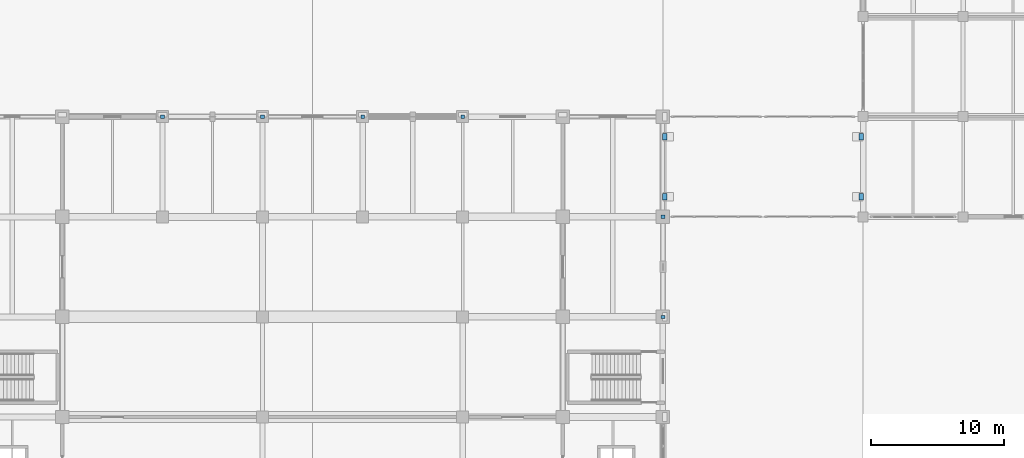
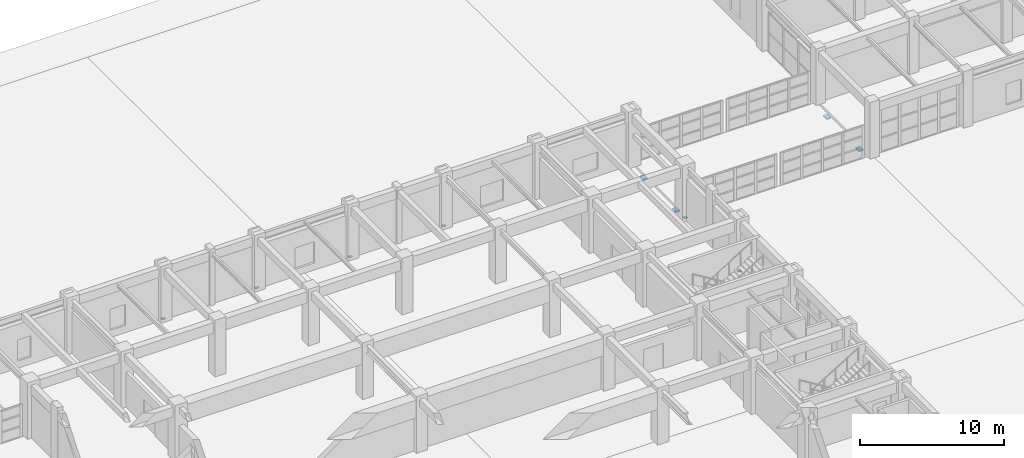
# One storey, part 101 of 122: 10 discrete accessories.
"""IFC4 building model written with IfcOpenShell, lengths in metres."""

from ifc_helpers import new_model, si_unit, direction, frame, origin, origin_2d, place, context, subcontext, project, spatial, rectangle, extrude, material, type_object, element, save


model = new_model("IFC4")

# Units and contexts
model_context = context("Model", 3, precision=1e-05, world=origin(), true_north=direction((0.0, 1.0)))
body_context = subcontext(model_context, "Body", "Model", "MODEL_VIEW")
ifc_project = project(units=[si_unit("LENGTHUNIT", "METRE"), si_unit("AREAUNIT", "SQUARE_METRE"), si_unit("VOLUMEUNIT", "CUBIC_METRE"), si_unit("PLANEANGLEUNIT", "RADIAN"), si_unit("MASSUNIT", "GRAM", prefix="KILO")], contexts=[model_context])

# Site, building, storey
site_placement = place(None, origin())
site = spatial("IfcSite", under=ifc_project, at=site_placement, CompositionType="ELEMENT")
building_placement = place(site_placement, origin())
building = spatial("IfcBuilding", under=site, at=building_placement, Name="Qasida Concert Hall", CompositionType="ELEMENT")
storey_placement = place(building_placement, origin())
storey = spatial("IfcBuildingStorey", under=building, at=storey_placement, Name="L00", CompositionType="ELEMENT", Elevation=0.0)

# Discrete accessories
ifc_material = material(Name="Steel S355J2", Category="steel")
discrete_accessory_type_1 = type_object("IfcDiscreteAccessoryType", Name="ACC-CONN-S355", PredefinedType="BRACKET", material=ifc_material)
for number, where, z_axis, x_axis, name in (
    (1, (105.0, 67.5, -0.011962890625), (0.0, 0.0, 1.0), (1.0, 0.0, 0.0), "Steel brace/strut end connection CN-0192"),
    (2, (105.0, 75.0, -0.011962890625), (0.0, 0.0, 1.0), (1.0, 0.0, 0.0), "Steel brace/strut end connection CN-0193"),
    (3, (67.5, 82.5, -0.011962890625), (0.0, 0.0, 1.0), (1.0, 0.0, 0.0), "Steel brace/strut end connection CN-0204"),
    (4, (75.0, 82.5, -0.011962890625), (0.0, 0.0, 1.0), (1.0, 0.0, 0.0), "Steel brace/strut end connection CN-0205"),
    (5, (82.5, 82.5, -0.011962890625), (0.0, 0.0, 1.0), (1.0, 0.0, 0.0), "Steel brace/strut end connection CN-0216"),
    (6, (90.0, 82.5, -0.011962890625), (0.0, 0.0, 1.0), (1.0, 0.0, 0.0), "Steel brace/strut end connection CN-0217"),
):
    element("IfcDiscreteAccessory", number, at=place(storey_placement, frame(where, z_axis=z_axis, x_axis=x_axis)), inside=storey, type_object=discrete_accessory_type_1, Name=name, PredefinedType="BRACKET", context=body_context, shape_type="SweptSolid", body=[
        extrude(rectangle(XDim=0.280029296875, YDim=0.239990234375, at=origin_2d()), origin(), (0.0, 0.0, 1.0), 0.02392578125),
    ])
discrete_accessory_type_2 = type_object("IfcDiscreteAccessoryType", Name="ACC-PTFE-SLIDE", PredefinedType="BRACKET", material=ifc_material)
for number, where, z_axis, x_axis, name in (
    (7, (105.14990234375, 76.5, -0.400146484375), (0.0, 0.0, 1.0), (1.0, 0.0, 0.0), "Seismic sliding bearing SB-PTFE-029"),
    (8, (105.14990234375, 81.0, -0.400146484375), (0.0, 0.0, 1.0), (1.0, 0.0, 0.0), "Seismic sliding bearing SB-PTFE-030"),
    (9, (119.85009765625, 76.5, -0.400146484375), (0.0, 0.0, 1.0), (1.0, 0.0, 0.0), "Seismic sliding bearing SB-PTFE-031"),
    (10, (119.85009765625, 81.0, -0.400146484375), (0.0, 0.0, 1.0), (1.0, 0.0, 0.0), "Seismic sliding bearing SB-PTFE-032"),
):
    element("IfcDiscreteAccessory", number, at=place(storey_placement, frame(where, z_axis=z_axis, x_axis=x_axis)), inside=storey, type_object=discrete_accessory_type_2, Name=name, PredefinedType="BRACKET", context=body_context, shape_type="SweptSolid", body=[
        extrude(rectangle(XDim=0.35009765625, YDim=0.5, at=origin_2d()), origin(), (0.0, 0.0, 1.0), 0.1201171875),
    ])

save(model, "model.ifc")
